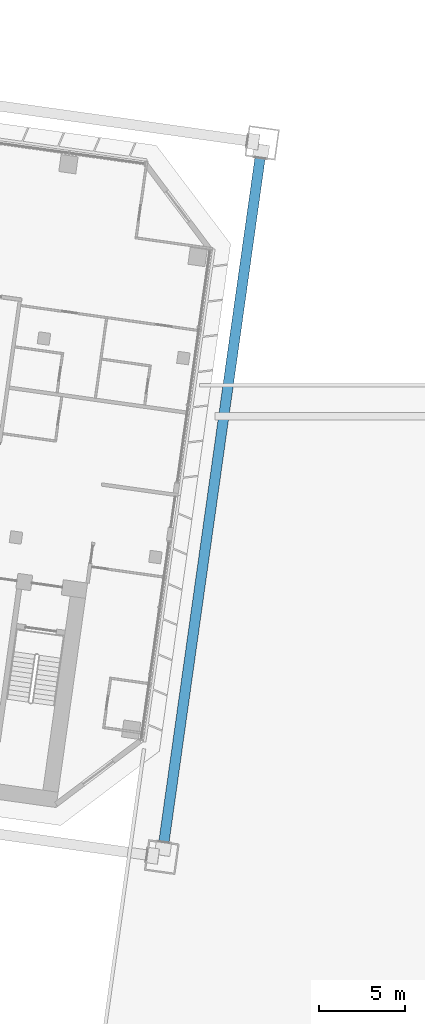
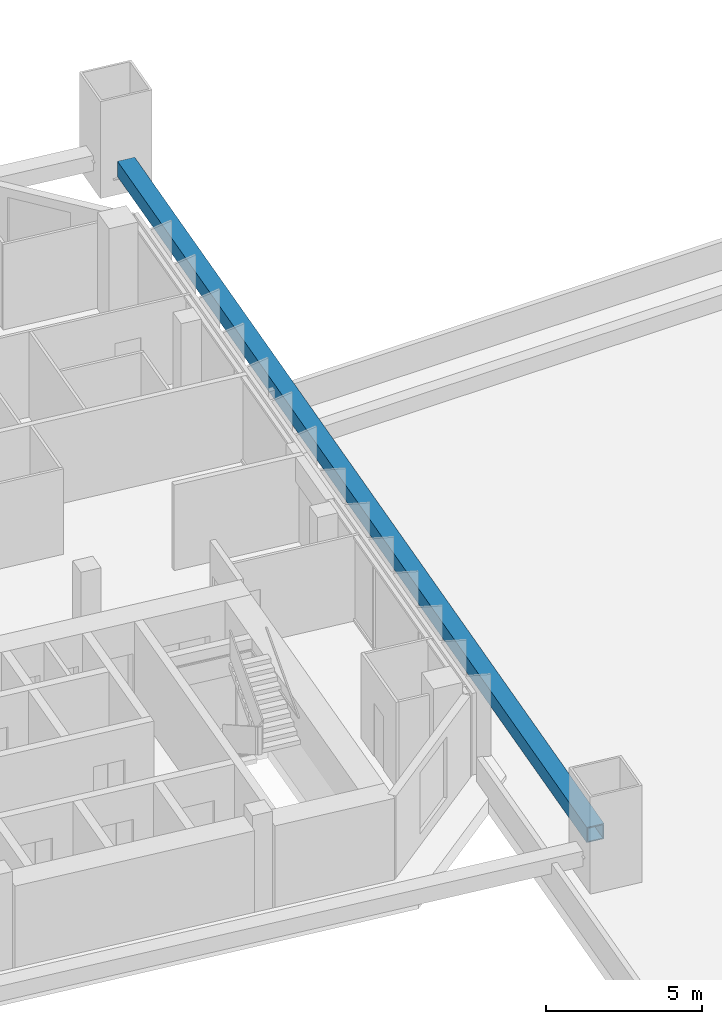
# One storey, part 11 of 46: 1 member.
"""IFC4 building model written with IfcOpenShell, lengths in metres."""

from ifc_helpers import new_model, si_unit, direction, frame, origin, origin_2d, place, context, subcontext, project, spatial, hollow_rectangle, extrude, material, material_profile, profile_set, type_object, element, save


model = new_model("IFC4")

# Units and contexts
model_context = context("Model", 3, precision=1e-05, world=origin(), true_north=direction((0.0, 1.0)))
body_context = subcontext(model_context, "Body", "Model", "MODEL_VIEW")
ifc_project = project(units=[si_unit("LENGTHUNIT", "METRE"), si_unit("AREAUNIT", "SQUARE_METRE"), si_unit("VOLUMEUNIT", "CUBIC_METRE"), si_unit("PLANEANGLEUNIT", "RADIAN"), si_unit("MASSUNIT", "GRAM", prefix="KILO")], contexts=[model_context])

# Site, building, storey
site_placement = place(None, origin())
site = spatial("IfcSite", under=ifc_project, at=site_placement, CompositionType="ELEMENT")
building_placement = place(site_placement, origin())
building = spatial("IfcBuilding", under=site, at=building_placement, Name="Mirante Cascada Hotel Towers", CompositionType="ELEMENT")
storey_placement = place(building_placement, frame((0.0, 0.0, 39.5)))
storey = spatial("IfcBuildingStorey", under=building, at=storey_placement, Name="L06", CompositionType="ELEMENT", Elevation=39.5)

# Member
ifc_material = material(Name="Steel ASTM A572 Gr 50", Category="steel")
ifc_material_profile = material_profile(ifc_material, hollow_rectangle(XDim=0.6, YDim=0.6, WallThickness=0.04, at=origin_2d()), Name="Box chord 600x600x40 ASTM A572 Gr 50")
ifc_profile_set = profile_set([ifc_material_profile], Name="Steel ASTM A572 Gr 50")
member_type = type_object("IfcMemberType", Name="Box chord 600x600x40 ASTM A572 Gr 50", PredefinedType="CHORD", material=ifc_profile_set)
member_placement = place(storey_placement, frame((-30.8196, -22.2025, 1.0), z_axis=(0.1391728, 0.9902681, 0.0), x_axis=(-0.9902681, 0.1391728, 0.0)))
element("IfcMember", 1, at=member_placement, inside=storey, type_object=member_type, Name="exochord T1 L06 3", PredefinedType="CHORD", context=body_context, shape_type="SweptSolid", body=[
    extrude(hollow_rectangle(XDim=0.6, YDim=0.6, WallThickness=0.04, at=origin_2d()), origin(), (0.0, 0.0, 1.0), 40.2399),
])

save(model, "model.ifc")
